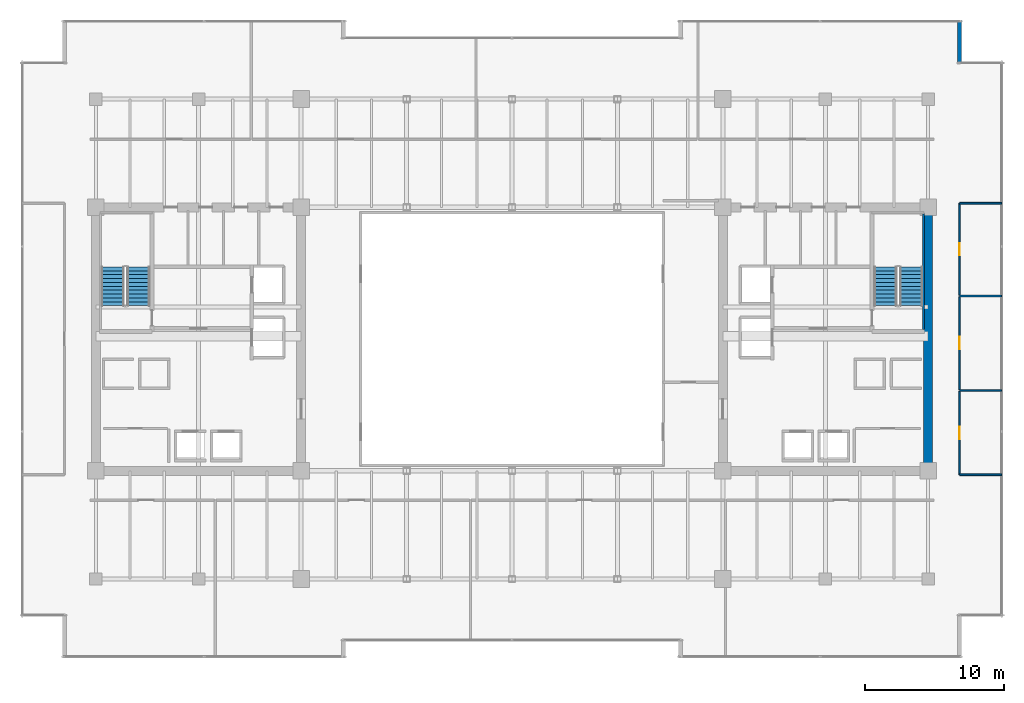
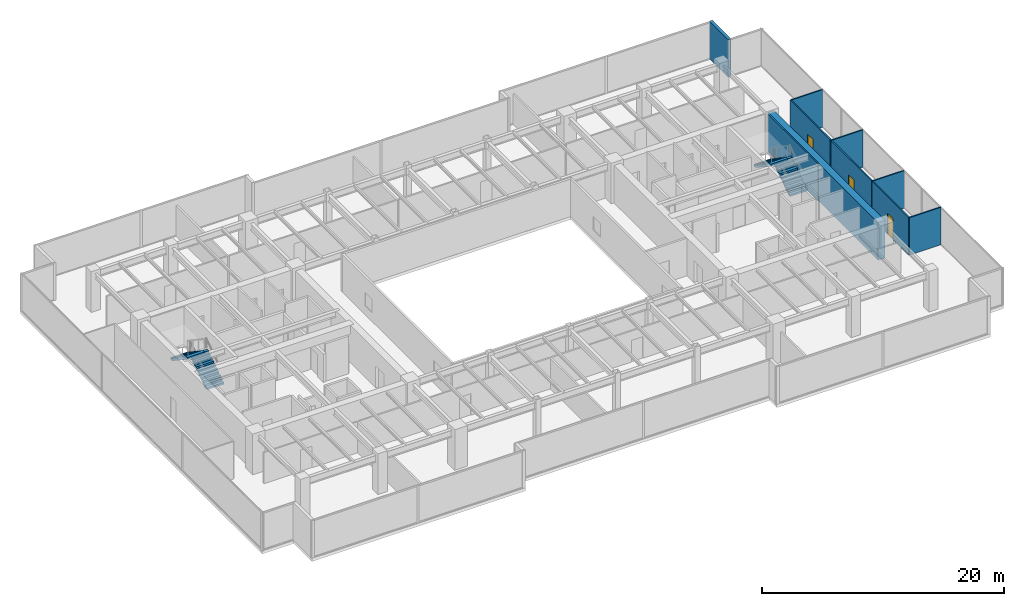
# One storey, part 28 of 30: 10 walls, 4 stair flights, 3 doors, 3 openings, 2 elements without a shape of their own.
"""IFC4 building model written with IfcOpenShell, lengths in metres."""

from ifc_helpers import new_model, si_unit, direction, frame, frame_2d, origin, place, context, subcontext, project, spatial, polyline, rectangle, outline, extrude, source, transform, mapped, material, layer, layer_set, type_object, type_shapes, element, fill, aggregate, save


model = new_model("IFC4")

# Units and contexts
model_context = context("Model", 3, precision=1e-05, world=origin(), true_north=direction((0.0, 1.0)))
body_context = subcontext(model_context, "Body", "Model", "MODEL_VIEW")
ifc_project = project(units=[si_unit("LENGTHUNIT", "METRE"), si_unit("AREAUNIT", "SQUARE_METRE"), si_unit("VOLUMEUNIT", "CUBIC_METRE"), si_unit("PLANEANGLEUNIT", "RADIAN"), si_unit("MASSUNIT", "GRAM", prefix="KILO")], contexts=[model_context])

# Site, building, storey
site_placement = place(None, origin())
site = spatial("IfcSite", under=ifc_project, at=site_placement, CompositionType="ELEMENT")
building_placement = place(site_placement, origin())
building = spatial("IfcBuilding", under=site, at=building_placement, Name="Haelvirn Gate Laboratories", CompositionType="ELEMENT")
storey_placement = place(building_placement, frame((0.0, 0.0, 121.5)))
storey = spatial("IfcBuildingStorey", under=building, at=storey_placement, Name="L29", CompositionType="ELEMENT", Elevation=121.5)

# Walls
ifc_material_1 = material(Name="Thermally-broken bronze aluminium rainscreen & mineral wool", Category="aluminium")
ifc_layer_1 = layer(ifc_material_1, 0.280029296875, Name="EW-TERR-280")
ifc_layer_set_1 = layer_set([ifc_layer_1], Name="Thermally-broken bronze aluminium rainscreen & mineral wool")
wall_type_1 = type_object("IfcWallType", Name="EW-TERR-280", PredefinedType="STANDARD", material=ifc_layer_set_1)
wall_1_placement = place(storey_placement, frame((69.659912109375, 44.2119140625, 0.0), z_axis=(0.0, 0.0, 1.0), x_axis=(0.0, 1.0, 0.0)))
element("IfcWall", 1, at=wall_1_placement, inside=storey, type_object=wall_type_1, Name="L29 Atrium Recess Bronze Return Wall 09", PredefinedType="STANDARD", context=body_context, shape_type="SweptSolid", body=[
    extrude(rectangle(XDim=3.088134765625, YDim=0.280029296875, at=frame_2d((1.5439453125, 0.0))), origin(), (0.0, 0.0, 1.0), 3.7900390625),
])
ifc_material_2 = material(Name="Lightweight acoustic gypsum board partition", Category="gypsum")
ifc_layer_2 = layer(ifc_material_2, 0.1201171875, Name="IW-PART-120")
ifc_layer_set_2 = layer_set([ifc_layer_2], Name="Lightweight acoustic gypsum board partition")
wall_type_2 = type_object("IfcWallType", Name="IW-PART-120", PredefinedType="PARTITIONING", material=ifc_layer_set_2)
for number, where, z_axis, x_axis, name in (
    (2, (69.669921875, 14.514892578125, 0.0), (0.0, 0.0, 1.0), (1.0, 0.0, 0.0), "L29 Interior Wall IW-L29-ECAP-S"),
    (3, (69.669921875, 34.0849609375, 0.0), (0.0, 0.0, 1.0), (1.0, 0.0, 0.0), "L29 Interior Wall IW-L29-ECAP-N"),
):
    element("IfcWall", number, at=place(storey_placement, frame(where, z_axis=z_axis, x_axis=x_axis)), inside=storey, type_object=wall_type_2, Name=name, PredefinedType="PARTITIONING", context=body_context, shape_type="SweptSolid", body=[
        extrude(rectangle(XDim=3.02001953125, YDim=0.1201171875, at=frame_2d((1.510009765625, 0.0))), origin(), (0.0, 0.0, 1.0), 3.7900390625),
    ])

# Wall, opening, door
wall_2_placement = place(storey_placement, frame((69.669921875, 14.514892578125, 0.0), z_axis=(0.0, 0.0, 1.0), x_axis=(0.0, 1.0, 0.0)))
wall_2 = element("IfcWall", 4, at=wall_2_placement, inside=storey, type_object=wall_type_2, Name="L29 Interior Wall IW-L29-EPASS-01", PredefinedType="PARTITIONING", context=body_context, shape_type="SweptSolid", body=[
    extrude(rectangle(XDim=6.025146484375, YDim=0.1201171875, at=frame_2d((3.0126953125, 0.0))), origin(), (0.0, 0.0, 1.0), 3.7900390625),
])
opening_1_placement = place(wall_2_placement, frame((2.5625, 0.0, 0.0)))
opening_1 = element("IfcOpeningElement", 5, at=opening_1_placement, cuts=wall_2, Name="Opening D4", PredefinedType="OPENING", context=body_context, shape_type="SweptSolid", body=[
    extrude(rectangle(XDim=0.89990234375, YDim=2.10009765625, at=frame_2d((0.449951171875, 1.050048828125))), frame((0.0, 0.070068359375, 0.0), z_axis=(0.0, -1.0, 0.0), x_axis=(1.0, 0.0, 0.0)), (0.0, 0.0, 1.0), 0.14013671875),
])
ifc_material_3 = material(Name="Glazed aluminium-framed write-up door", Category="aluminium")
door_type = type_object("IfcDoorType", Name="DR-OFF-900", OperationType="NOTDEFINED", PredefinedType="DOOR", material=ifc_material_3)
shared_shape_1 = source(origin(), body_context, "Body", "SweptSolid", [
    extrude(rectangle(XDim=0.89990234375, YDim=2.10009765625, at=frame_2d((0.449951171875, 1.050048828125))), frame((0.0, 0.02490234375, 0.0), z_axis=(0.0, -1.0, 0.0), x_axis=(1.0, 0.0, 0.0)), (0.0, 0.0, 1.0), 0.050048828125),
])
type_shapes(door_type, [shared_shape_1])
door_1_placement = place(opening_1_placement, origin())
door_1 = element("IfcDoor", 6, at=door_1_placement, inside=storey, type_object=door_type, Name="L29 Peer-Review Seminar Room Door E1", OperationType="SINGLE_SWING_LEFT", OverallHeight=2.10009765625, OverallWidth=0.89990234375, PredefinedType="DOOR", context=body_context, shape_type="MappedRepresentation", body=[
    mapped(shared_shape_1, transform((0.0, 0.0, 0.0), scale=1.0)),
])
fill(opening_1, door_1)

# Wall
wall_3_placement = place(storey_placement, frame((69.669921875, 20.60009765625, 0.0), z_axis=(0.0, 0.0, 1.0), x_axis=(1.0, 0.0, 0.0)))
element("IfcWall", 7, at=wall_3_placement, inside=storey, type_object=wall_type_2, Name="L29 Interior Wall IW-L29-EDIV-01", PredefinedType="PARTITIONING", context=body_context, shape_type="SweptSolid", body=[
    extrude(rectangle(XDim=3.02001953125, YDim=0.1201171875, at=frame_2d((1.510009765625, 0.0))), origin(), (0.0, 0.0, 1.0), 3.7900390625),
])

# Wall, opening, door
wall_4_placement = place(storey_placement, frame((69.669921875, 20.659912109375, 0.0), z_axis=(0.0, 0.0, 1.0), x_axis=(0.0, 1.0, 0.0)))
wall_4 = element("IfcWall", 8, at=wall_4_placement, inside=storey, type_object=wall_type_2, Name="L29 Interior Wall IW-L29-EPASS-02", PredefinedType="PARTITIONING", context=body_context, shape_type="SweptSolid", body=[
    extrude(rectangle(XDim=6.68017578125, YDim=0.1201171875, at=frame_2d((3.340087890625, 0.0))), origin(), (0.0, 0.0, 1.0), 3.7900390625),
])
opening_2_placement = place(wall_4_placement, frame((2.889892578125, 0.0, 0.0)))
opening_2 = element("IfcOpeningElement", 9, at=opening_2_placement, cuts=wall_4, Name="Opening D4", PredefinedType="OPENING", context=body_context, shape_type="SweptSolid", body=[
    extrude(rectangle(XDim=0.89990234375, YDim=2.10009765625, at=frame_2d((0.449951171875, 1.050048828125))), frame((0.0, 0.070068359375, 0.0), z_axis=(0.0, -1.0, 0.0), x_axis=(1.0, 0.0, 0.0)), (0.0, 0.0, 1.0), 0.14013671875),
])
door_2_placement = place(opening_2_placement, origin())
door_2 = element("IfcDoor", 10, at=door_2_placement, inside=storey, type_object=door_type, Name="L29 Chemical Synthesis Laboratory Door E2", OperationType="SINGLE_SWING_RIGHT", OverallHeight=2.10009765625, OverallWidth=0.89990234375, PredefinedType="DOOR", context=body_context, shape_type="MappedRepresentation", body=[
    mapped(shared_shape_1, transform((0.0, 0.0, 0.0), scale=1.0)),
])
fill(opening_2, door_2)

# Wall
wall_5_placement = place(storey_placement, frame((69.669921875, 27.39990234375, 0.0), z_axis=(0.0, 0.0, 1.0), x_axis=(1.0, 0.0, 0.0)))
element("IfcWall", 11, at=wall_5_placement, inside=storey, type_object=wall_type_2, Name="L29 Interior Wall IW-L29-EDIV-02", PredefinedType="PARTITIONING", context=body_context, shape_type="SweptSolid", body=[
    extrude(rectangle(XDim=3.02001953125, YDim=0.1201171875, at=frame_2d((1.510009765625, 0.0))), origin(), (0.0, 0.0, 1.0), 3.7900390625),
])

# Wall, opening, door
wall_6_placement = place(storey_placement, frame((69.669921875, 27.4599609375, 0.0), z_axis=(0.0, 0.0, 1.0), x_axis=(0.0, 1.0, 0.0)))
wall_6 = element("IfcWall", 12, at=wall_6_placement, inside=storey, type_object=wall_type_2, Name="L29 Interior Wall IW-L29-EPASS-03", PredefinedType="PARTITIONING", context=body_context, shape_type="SweptSolid", body=[
    extrude(rectangle(XDim=6.625, YDim=0.1201171875, at=frame_2d((3.3125, 0.0))), origin(), (0.0, 0.0, 1.0), 3.7900390625),
])
opening_3_placement = place(wall_6_placement, frame((2.862548828125, 0.0, 0.0)))
opening_3 = element("IfcOpeningElement", 13, at=opening_3_placement, cuts=wall_6, Name="Opening D4", PredefinedType="OPENING", context=body_context, shape_type="SweptSolid", body=[
    extrude(rectangle(XDim=0.89990234375, YDim=2.10009765625, at=frame_2d((0.449951171875, 1.050048828125))), frame((0.0, 0.070068359375, 0.0), z_axis=(0.0, -1.0, 0.0), x_axis=(1.0, 0.0, 0.0)), (0.0, 0.0, 1.0), 0.14013671875),
])
door_3_placement = place(opening_3_placement, origin())
door_3 = element("IfcDoor", 14, at=door_3_placement, inside=storey, type_object=door_type, Name="L29 Bioprocess Foundry Laboratory Door E3", OperationType="SINGLE_SWING_LEFT", OverallHeight=2.10009765625, OverallWidth=0.89990234375, PredefinedType="DOOR", context=body_context, shape_type="MappedRepresentation", body=[
    mapped(shared_shape_1, transform((0.0, 0.0, 0.0), scale=1.0)),
])
fill(opening_3, door_3)

# Walls
ifc_material_4 = material(Name="Concrete C60/75", Category="concrete")
ifc_layer_3 = layer(ifc_material_4, 0.64990234375, Name="SW-CORE-650")
ifc_layer_set_3 = layer_set([ifc_layer_3], Name="Concrete C60/75")
wall_type_3 = type_object("IfcWallType", Name="SW-CORE-650", PredefinedType="SHEAR", material=ifc_layer_set_3)
wall_7_placement = place(storey_placement, frame((67.39990234375, 15.125, 0.0), z_axis=(0.0, 0.0, 1.0), x_axis=(0.0, 1.0, 0.0)))
element("IfcWall", 15, at=wall_7_placement, inside=storey, type_object=wall_type_3, Name="L29 E Core Shear Wall E", PredefinedType="SHEAR", context=body_context, shape_type="SweptSolid", body=[
    extrude(rectangle(XDim=18.35009765625, YDim=0.64990234375, at=frame_2d((9.175048828125, 0.0))), origin(), (0.0, 0.0, 1.0), 3.7900390625),
])
ifc_material_5 = material(Name="Concrete C50/60", Category="concrete")
ifc_layer_4 = layer(ifc_material_5, 0.1201171875, Name="SW-LINER-120")
ifc_layer_set_4 = layer_set([ifc_layer_4], Name="Concrete C50/60")
wall_type_4 = type_object("IfcWallType", Name="SW-LINER-120", PredefinedType="SOLIDWALL", material=ifc_layer_set_4)
wall_8_placement = place(storey_placement, frame((67.070068359375, 25.0, 0.0), z_axis=(0.0, 0.0, 1.0), x_axis=(0.0, 1.0, 0.0)))
element("IfcWall", 16, at=wall_8_placement, inside=storey, type_object=wall_type_4, Name="L29 E Core Stair Shaft Liner Wall OUT", PredefinedType="SOLIDWALL", context=body_context, shape_type="SweptSolid", body=[
    extrude(rectangle(XDim=8.320068359375, YDim=0.1201171875, at=frame_2d((4.16015625, 0.0))), origin(), (0.0, 0.0, 1.0), 3.7900390625),
])

# Stair, stair flights
ifc_material_6 = material(Name="Concrete C40/50", Category="concrete")
stair_type = type_object("IfcStairType", Name="ST-DOG-1650-R22", PredefinedType="HALF_TURN_STAIR", material=ifc_material_6)
stair_1_placement = place(storey_placement, origin())
stair_1 = element("IfcStair", 17, at=stair_1_placement, inside=storey, type_object=stair_type, Name="L29 Escape Stair ST1", PredefinedType="HALF_TURN_STAIR")
stair_flight_type = type_object("IfcStairFlightType", Name="STF-1650-R11", PredefinedType="STRAIGHT", material=ifc_material_6)
shared_shape_2 = source(origin(), body_context, "Body", "SweptSolid", [
    extrude(outline(polyline([(0.0, 0.0), (0.0, 0.186279296875), (0.280029296875, 0.186279296875), (0.280029296875, 0.372802734375), (0.56005859375, 0.372802734375), (0.56005859375, 0.55908203125), (0.840087890625, 0.55908203125), (0.840087890625, 0.745361328125), (1.1201171875, 0.745361328125), (1.1201171875, 0.931884765625), (1.39990234375, 0.931884765625), (1.39990234375, 1.1181640625), (1.679931640625, 1.1181640625), (1.679931640625, 1.304443359375), (1.9599609375, 1.304443359375), (1.9599609375, 1.490966796875), (2.239990234375, 1.490966796875), (2.239990234375, 1.67724609375), (2.52001953125, 1.67724609375), (2.52001953125, 1.863525390625), (2.800048828125, 1.863525390625), (2.800048828125, 2.050048828125), (2.800048828125, 1.671630859375), (0.28857421875, 0.0), (0.0, 0.0)])), frame((0.0, 0.824951171875, 0.0), z_axis=(0.0, -1.0, 0.0), x_axis=(1.0, 0.0, 0.0)), (0.0, 0.0, 1.0), 1.64990234375),
])
type_shapes(stair_flight_type, [shared_shape_2])
stair_flight_1_placement = place(storey_placement, frame((10.47509765625, 26.699951171875, 0.0), z_axis=(0.0, 0.0, 1.0), x_axis=(0.0, 1.0, 0.0)))
stair_flight_1 = element("IfcStairFlight", 18, at=stair_flight_1_placement, type_object=stair_flight_type, Name="ST1 flight 1", NumberOfRisers=11, NumberOfTreads=10, PredefinedType="STRAIGHT", RiserHeight=0.186363636, TreadLength=0.28, context=body_context, shape_type="MappedRepresentation", body=[
    mapped(shared_shape_2, transform((0.0, 0.0, 0.0), scale=1.0)),
])
stair_flight_2_placement = place(storey_placement, frame((8.625, 29.5, 2.050048828125), z_axis=(0.0, 0.0, 1.0), x_axis=(0.0, -1.0, 0.0)))
stair_flight_2 = element("IfcStairFlight", 19, at=stair_flight_2_placement, type_object=stair_flight_type, Name="ST1 flight 2", NumberOfRisers=11, NumberOfTreads=10, PredefinedType="STRAIGHT", RiserHeight=0.186363636, TreadLength=0.28, context=body_context, shape_type="MappedRepresentation", body=[
    mapped(shared_shape_2, transform((0.0, 0.0, 0.0), scale=1.0)),
])
aggregate(stair_1, [stair_flight_1, stair_flight_2])

stair_2_placement = place(storey_placement, origin())
stair_2 = element("IfcStair", 20, at=stair_2_placement, inside=storey, type_object=stair_type, Name="L29 Escape Stair ST2", PredefinedType="HALF_TURN_STAIR")
stair_flight_3_placement = place(storey_placement, frame((66.175048828125, 26.699951171875, 0.0), z_axis=(0.0, 0.0, 1.0), x_axis=(0.0, 1.0, 0.0)))
stair_flight_3 = element("IfcStairFlight", 21, at=stair_flight_3_placement, type_object=stair_flight_type, Name="ST2 flight 1", NumberOfRisers=11, NumberOfTreads=10, PredefinedType="STRAIGHT", RiserHeight=0.186363636, TreadLength=0.28, context=body_context, shape_type="MappedRepresentation", body=[
    mapped(shared_shape_2, transform((0.0, 0.0, 0.0), scale=1.0)),
])
stair_flight_4_placement = place(storey_placement, frame((64.324951171875, 29.5, 2.050048828125), z_axis=(0.0, 0.0, 1.0), x_axis=(0.0, -1.0, 0.0)))
stair_flight_4 = element("IfcStairFlight", 22, at=stair_flight_4_placement, type_object=stair_flight_type, Name="ST2 flight 2", NumberOfRisers=11, NumberOfTreads=10, PredefinedType="STRAIGHT", RiserHeight=0.186363636, TreadLength=0.28, context=body_context, shape_type="MappedRepresentation", body=[
    mapped(shared_shape_2, transform((0.0, 0.0, 0.0), scale=1.0)),
])
aggregate(stair_2, [stair_flight_3, stair_flight_4])

save(model, "model.ifc")
